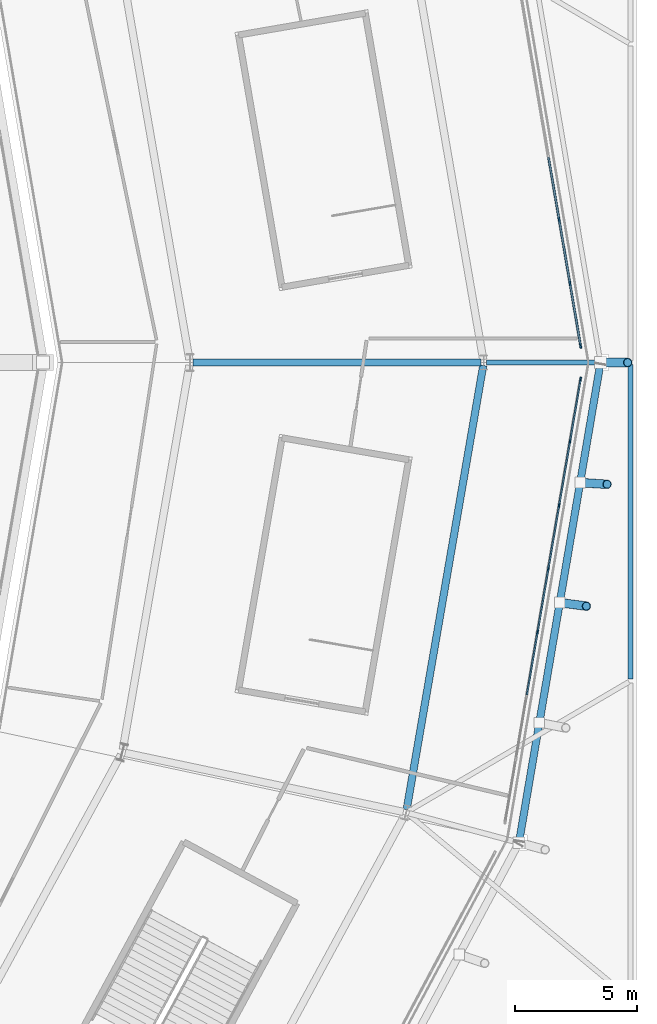
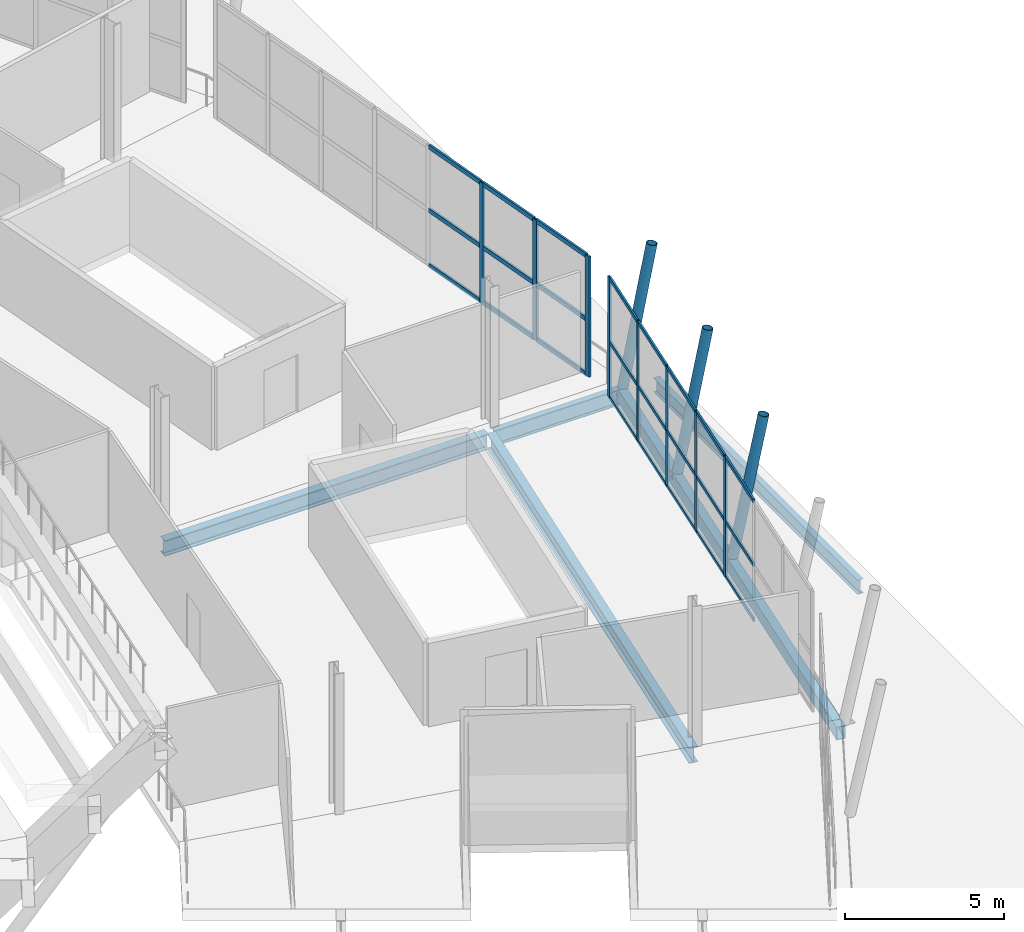
# One storey, part 46 of 126: 35 members, 5 beams, 2 elements without a shape of their own.
"""IFC4 building model written with IfcOpenShell, lengths in metres."""

from ifc_helpers import new_model, si_unit, direction, frame, origin, origin_2d, place, context, subcontext, project, spatial, rectangle, hollow_rectangle, hollow_circle, i_section, extrude, material, material_profile, profile_set, type_object, element, aggregate, save


model = new_model("IFC4")

# Units and contexts
model_context = context("Model", 3, precision=1e-05, world=origin(), true_north=direction((0.0, 1.0)))
body_context = subcontext(model_context, "Body", "Model", "MODEL_VIEW")
ifc_project = project(units=[si_unit("LENGTHUNIT", "METRE"), si_unit("AREAUNIT", "SQUARE_METRE"), si_unit("VOLUMEUNIT", "CUBIC_METRE"), si_unit("PLANEANGLEUNIT", "RADIAN"), si_unit("MASSUNIT", "GRAM", prefix="KILO")], contexts=[model_context])

# Site, building, storey
site_placement = place(None, origin())
site = spatial("IfcSite", under=ifc_project, at=site_placement, CompositionType="ELEMENT")
building_placement = place(site_placement, origin())
building = spatial("IfcBuilding", under=site, at=building_placement, Name="Zlatoyarsky Gate Stadium", CompositionType="ELEMENT")
storey_placement = place(building_placement, frame((0.0, 0.0, 20.800048828125)))
storey = spatial("IfcBuildingStorey", under=building, at=storey_placement, Name="L04", CompositionType="ELEMENT", Elevation=20.800048828125)

# Curtain wall, members
ifc_material_1 = material(Name="Thermally broken anodised aluminium curtain wall", Category="aluminium")
curtain_wall_type_1 = type_object("IfcCurtainWallType", Name="MONUMENTAL ARCHED GATE GLAZING LOWER", PredefinedType="USERDEFINED", material=ifc_material_1)
curtain_wall_1_placement = place(storey_placement, origin())
curtain_wall_1 = element("IfcCurtainWall", 1, at=curtain_wall_1_placement, inside=storey, type_object=curtain_wall_type_1, Name="Curtain wall CW-L04-00", ObjectType="ARCHED GATE GLAZING", PredefinedType="USERDEFINED")
ifc_material_2 = material(Name="Anodised aluminium 6063-T6", Category="aluminium")
ifc_material_profile_1 = material_profile(ifc_material_2, rectangle(XDim=0.074951171875, YDim=0.18994140625, at=origin_2d()), Name="ALU 75X190")
ifc_profile_set_1 = profile_set([ifc_material_profile_1], Name="Anodised aluminium 6063-T6")
member_type_1 = type_object("IfcMemberType", Name="ALUMINIUM GATE MULLION 75X190", PredefinedType="MULLION", material=ifc_profile_set_1)
member_1_placement = place(storey_placement, frame((207.9541015625, 80.677734375, 0.0), z_axis=(0.0, 0.0, 1.0), x_axis=(-0.985817460475, -0.167821138782, 0.0)))
member_1 = element("IfcMember", 2, at=member_1_placement, type_object=member_type_1, Name="CW-AG1 mullion 1", PredefinedType="MULLION", context=body_context, shape_type="SweptSolid", body=[
    extrude(rectangle(XDim=0.074951171875, YDim=0.18994140625, at=origin_2d()), origin(), (0.0, 0.0, 1.0), 4.619873046875),
])
member_2_placement = place(storey_placement, frame((207.51904296875, 83.2333984375, 0.0), z_axis=(0.0, 0.0, 1.0), x_axis=(-0.985817460475, -0.167821138782, 0.0)))
member_2 = element("IfcMember", 3, at=member_2_placement, type_object=member_type_1, Name="CW-AG1 mullion 2", PredefinedType="MULLION", context=body_context, shape_type="SweptSolid", body=[
    extrude(rectangle(XDim=0.074951171875, YDim=0.18994140625, at=origin_2d()), origin(), (0.0, 0.0, 1.0), 4.619873046875),
])
member_3_placement = place(storey_placement, frame((207.077880859375, 85.825927734375, 0.0), z_axis=(0.0, 0.0, 1.0), x_axis=(-0.985817460475, -0.167821138782, 0.0)))
member_3 = element("IfcMember", 4, at=member_3_placement, type_object=member_type_1, Name="CW-AG1 mullion 3", PredefinedType="MULLION", context=body_context, shape_type="SweptSolid", body=[
    extrude(rectangle(XDim=0.074951171875, YDim=0.18994140625, at=origin_2d()), origin(), (0.0, 0.0, 1.0), 4.619873046875),
])
ifc_material_profile_2 = material_profile(ifc_material_2, rectangle(XDim=0.074951171875, YDim=0.169921875, at=origin_2d()), Name="ALU 75X170")
ifc_profile_set_2 = profile_set([ifc_material_profile_2], Name="Anodised aluminium 6063-T6")
member_type_2 = type_object("IfcMemberType", Name="ALUMINIUM GATE TRANSOM 75X170", PredefinedType="USERDEFINED", material=ifc_profile_set_2)
member_4_placement = place(storey_placement, frame((207.947998046875, 80.71484375, 0.037353515625), z_axis=(-0.167889595359, 0.985805804289, 0.0), x_axis=(-0.985805804289, -0.167889595359, 0.0)))
member_4 = element("IfcMember", 5, at=member_4_placement, type_object=member_type_2, Name="CW-AG1 transom 1.1", ObjectType="TRANSOM", PredefinedType="USERDEFINED", context=body_context, shape_type="SweptSolid", body=[
    extrude(rectangle(XDim=0.074951171875, YDim=0.169921875, at=origin_2d()), origin(), (0.0, 0.0, 1.0), 2.51708984375),
])
member_5_placement = place(storey_placement, frame((207.947998046875, 80.71484375, 2.14990234375), z_axis=(-0.167889595359, 0.985805804289, 0.0), x_axis=(-0.985805804289, -0.167889595359, 0.0)))
member_5 = element("IfcMember", 6, at=member_5_placement, type_object=member_type_2, Name="CW-AG1 transom 1.2", ObjectType="TRANSOM", PredefinedType="USERDEFINED", context=body_context, shape_type="SweptSolid", body=[
    extrude(rectangle(XDim=0.074951171875, YDim=0.169921875, at=origin_2d()), origin(), (0.0, 0.0, 1.0), 2.51708984375),
])
member_6_placement = place(storey_placement, frame((207.947998046875, 80.71484375, 4.58251953125), z_axis=(-0.167889595359, 0.985805804289, 0.0), x_axis=(-0.985805804289, -0.167889595359, 0.0)))
member_6 = element("IfcMember", 7, at=member_6_placement, type_object=member_type_2, Name="CW-AG1 transom 1.3", ObjectType="TRANSOM", PredefinedType="USERDEFINED", context=body_context, shape_type="SweptSolid", body=[
    extrude(rectangle(XDim=0.074951171875, YDim=0.169921875, at=origin_2d()), origin(), (0.0, 0.0, 1.0), 2.51708984375),
])
member_7_placement = place(storey_placement, frame((207.512939453125, 83.270263671875, 0.037353515625), z_axis=(-0.167807252001, 0.985819824398, 0.0), x_axis=(-0.985819824398, -0.167807252001, 0.0)))
member_7 = element("IfcMember", 8, at=member_7_placement, type_object=member_type_2, Name="CW-AG1 transom 2.1", ObjectType="TRANSOM", PredefinedType="USERDEFINED", context=body_context, shape_type="SweptSolid", body=[
    extrude(rectangle(XDim=0.074951171875, YDim=0.169921875, at=origin_2d()), origin(), (0.0, 0.0, 1.0), 2.5546875),
])
member_8_placement = place(storey_placement, frame((207.512939453125, 83.270263671875, 2.14990234375), z_axis=(-0.167807252001, 0.985819824398, 0.0), x_axis=(-0.985819824398, -0.167807252001, 0.0)))
member_8 = element("IfcMember", 9, at=member_8_placement, type_object=member_type_2, Name="CW-AG1 transom 2.2", ObjectType="TRANSOM", PredefinedType="USERDEFINED", context=body_context, shape_type="SweptSolid", body=[
    extrude(rectangle(XDim=0.074951171875, YDim=0.169921875, at=origin_2d()), origin(), (0.0, 0.0, 1.0), 2.5546875),
])
member_9_placement = place(storey_placement, frame((207.512939453125, 83.270263671875, 4.58251953125), z_axis=(-0.167807252001, 0.985819824398, 0.0), x_axis=(-0.985819824398, -0.167807252001, 0.0)))
member_9 = element("IfcMember", 10, at=member_9_placement, type_object=member_type_2, Name="CW-AG1 transom 2.3", ObjectType="TRANSOM", PredefinedType="USERDEFINED", context=body_context, shape_type="SweptSolid", body=[
    extrude(rectangle(XDim=0.074951171875, YDim=0.169921875, at=origin_2d()), origin(), (0.0, 0.0, 1.0), 2.5546875),
])
member_10_placement = place(storey_placement, frame((207.071533203125, 85.86279296875, 0.037353515625), z_axis=(-0.167807252001, 0.985819824398, 0.0), x_axis=(-0.985819824398, -0.167807252001, 0.0)))
member_10 = element("IfcMember", 11, at=member_10_placement, type_object=member_type_2, Name="CW-AG1 transom 3.1", ObjectType="TRANSOM", PredefinedType="USERDEFINED", context=body_context, shape_type="SweptSolid", body=[
    extrude(rectangle(XDim=0.074951171875, YDim=0.169921875, at=origin_2d()), origin(), (0.0, 0.0, 1.0), 2.5546875),
])
member_11_placement = place(storey_placement, frame((207.071533203125, 85.86279296875, 2.14990234375), z_axis=(-0.167807252001, 0.985819824398, 0.0), x_axis=(-0.985819824398, -0.167807252001, 0.0)))
member_11 = element("IfcMember", 12, at=member_11_placement, type_object=member_type_2, Name="CW-AG1 transom 3.2", ObjectType="TRANSOM", PredefinedType="USERDEFINED", context=body_context, shape_type="SweptSolid", body=[
    extrude(rectangle(XDim=0.074951171875, YDim=0.169921875, at=origin_2d()), origin(), (0.0, 0.0, 1.0), 2.5546875),
])
member_12_placement = place(storey_placement, frame((207.071533203125, 85.86279296875, 4.58251953125), z_axis=(-0.167807252001, 0.985819824398, 0.0), x_axis=(-0.985819824398, -0.167807252001, 0.0)))
member_12 = element("IfcMember", 13, at=member_12_placement, type_object=member_type_2, Name="CW-AG1 transom 3.3", ObjectType="TRANSOM", PredefinedType="USERDEFINED", context=body_context, shape_type="SweptSolid", body=[
    extrude(rectangle(XDim=0.074951171875, YDim=0.169921875, at=origin_2d()), origin(), (0.0, 0.0, 1.0), 2.5546875),
])
aggregate(curtain_wall_1, [member_1, member_2, member_3, member_4, member_5, member_6, member_7, member_8, member_9, member_10, member_11, member_12])

curtain_wall_type_2 = type_object("IfcCurtainWallType", Name="UNITISED MEDIA RING GLAZING L04", PredefinedType="USERDEFINED", material=ifc_material_1)
curtain_wall_2_placement = place(storey_placement, origin())
curtain_wall_2 = element("IfcCurtainWall", 14, at=curtain_wall_2_placement, inside=storey, type_object=curtain_wall_type_2, Name="Curtain wall CW-L04-23", ObjectType="UNITISED GLAZING", PredefinedType="USERDEFINED")
ifc_material_profile_3 = material_profile(ifc_material_2, rectangle(XDim=0.06494140625, YDim=0.159912109375, at=origin_2d()), Name="ALU 65X160")
ifc_profile_set_3 = profile_set([ifc_material_profile_3], Name="Anodised aluminium 6063-T6")
member_type_3 = type_object("IfcMemberType", Name="ALUMINIUM MULLION 65X160", PredefinedType="MULLION", material=ifc_profile_set_3)
member_13_placement = place(storey_placement, frame((206.195068359375, 68.989013671875, 0.0), z_axis=(0.0, 0.0, 1.0), x_axis=(-0.985817460475, 0.167821138782, 0.0)))
member_13 = element("IfcMember", 15, at=member_13_placement, type_object=member_type_3, Name="CW-UG4 mullion 4", PredefinedType="MULLION", context=body_context, shape_type="SweptSolid", body=[
    extrude(rectangle(XDim=0.06494140625, YDim=0.159912109375, at=origin_2d()), origin(), (0.0, 0.0, 1.0), 4.619873046875),
])
member_14_placement = place(storey_placement, frame((206.636474609375, 71.58154296875, 0.0), z_axis=(0.0, 0.0, 1.0), x_axis=(-0.985817460475, 0.167821138782, 0.0)))
member_14 = element("IfcMember", 16, at=member_14_placement, type_object=member_type_3, Name="CW-UG4 mullion 5", PredefinedType="MULLION", context=body_context, shape_type="SweptSolid", body=[
    extrude(rectangle(XDim=0.06494140625, YDim=0.159912109375, at=origin_2d()), origin(), (0.0, 0.0, 1.0), 4.619873046875),
])
member_15_placement = place(storey_placement, frame((207.077880859375, 74.174072265625, 0.0), z_axis=(0.0, 0.0, 1.0), x_axis=(-0.985817460475, 0.167821138782, 0.0)))
member_15 = element("IfcMember", 17, at=member_15_placement, type_object=member_type_3, Name="CW-UG4 mullion 6", PredefinedType="MULLION", context=body_context, shape_type="SweptSolid", body=[
    extrude(rectangle(XDim=0.06494140625, YDim=0.159912109375, at=origin_2d()), origin(), (0.0, 0.0, 1.0), 4.619873046875),
])
member_16_placement = place(storey_placement, frame((207.51904296875, 76.7666015625, 0.0), z_axis=(0.0, 0.0, 1.0), x_axis=(-0.985817460475, 0.167821138782, 0.0)))
member_16 = element("IfcMember", 18, at=member_16_placement, type_object=member_type_3, Name="CW-UG4 mullion 7", PredefinedType="MULLION", context=body_context, shape_type="SweptSolid", body=[
    extrude(rectangle(XDim=0.06494140625, YDim=0.159912109375, at=origin_2d()), origin(), (0.0, 0.0, 1.0), 4.619873046875),
])
member_17_placement = place(storey_placement, frame((207.955078125, 79.3271484375, 0.0), z_axis=(0.0, 0.0, 1.0), x_axis=(-0.985817460475, 0.167821138782, 0.0)))
member_17 = element("IfcMember", 19, at=member_17_placement, type_object=member_type_3, Name="CW-UG4 mullion 8", PredefinedType="MULLION", context=body_context, shape_type="SweptSolid", body=[
    extrude(rectangle(XDim=0.06494140625, YDim=0.159912109375, at=origin_2d()), origin(), (0.0, 0.0, 1.0), 4.619873046875),
])
ifc_material_profile_4 = material_profile(ifc_material_2, rectangle(XDim=0.06494140625, YDim=0.139892578125, at=origin_2d()), Name="ALU 65X140")
ifc_profile_set_4 = profile_set([ifc_material_profile_4], Name="Anodised aluminium 6063-T6")
member_type_4 = type_object("IfcMemberType", Name="ALUMINIUM TRANSOM 65X140", PredefinedType="USERDEFINED", material=ifc_profile_set_4)
member_18_placement = place(storey_placement, frame((205.75927734375, 66.428466796875, 0.032470703125), z_axis=(0.167809188873, 0.9858194947, 0.0), x_axis=(-0.9858194947, 0.167809188873, 0.0)))
member_18 = element("IfcMember", 20, at=member_18_placement, type_object=member_type_4, Name="CW-UG4 transom 3.1", ObjectType="TRANSOM", PredefinedType="USERDEFINED", context=body_context, shape_type="SweptSolid", body=[
    extrude(rectangle(XDim=0.06494140625, YDim=0.139892578125, at=origin_2d()), origin(), (0.0, 0.0, 1.0), 2.56494140625),
])
member_19_placement = place(storey_placement, frame((205.75927734375, 66.428466796875, 2.14990234375), z_axis=(0.167809188873, 0.9858194947, 0.0), x_axis=(-0.9858194947, 0.167809188873, 0.0)))
member_19 = element("IfcMember", 21, at=member_19_placement, type_object=member_type_4, Name="CW-UG4 transom 3.2", ObjectType="TRANSOM", PredefinedType="USERDEFINED", context=body_context, shape_type="SweptSolid", body=[
    extrude(rectangle(XDim=0.06494140625, YDim=0.139892578125, at=origin_2d()), origin(), (0.0, 0.0, 1.0), 2.56494140625),
])
member_20_placement = place(storey_placement, frame((205.75927734375, 66.428466796875, 4.58740234375), z_axis=(0.167809188873, 0.9858194947, 0.0), x_axis=(-0.9858194947, 0.167809188873, 0.0)))
member_20 = element("IfcMember", 22, at=member_20_placement, type_object=member_type_4, Name="CW-UG4 transom 3.3", ObjectType="TRANSOM", PredefinedType="USERDEFINED", context=body_context, shape_type="SweptSolid", body=[
    extrude(rectangle(XDim=0.06494140625, YDim=0.139892578125, at=origin_2d()), origin(), (0.0, 0.0, 1.0), 2.56494140625),
])
member_21_placement = place(storey_placement, frame((206.20068359375, 69.02099609375, 0.032470703125), z_axis=(0.167809188873, 0.9858194947, 0.0), x_axis=(-0.9858194947, 0.167809188873, 0.0)))
member_21 = element("IfcMember", 23, at=member_21_placement, type_object=member_type_4, Name="CW-UG4 transom 4.1", ObjectType="TRANSOM", PredefinedType="USERDEFINED", context=body_context, shape_type="SweptSolid", body=[
    extrude(rectangle(XDim=0.06494140625, YDim=0.139892578125, at=origin_2d()), origin(), (0.0, 0.0, 1.0), 2.56494140625),
])
member_22_placement = place(storey_placement, frame((206.20068359375, 69.02099609375, 2.14990234375), z_axis=(0.167809188873, 0.9858194947, 0.0), x_axis=(-0.9858194947, 0.167809188873, 0.0)))
member_22 = element("IfcMember", 24, at=member_22_placement, type_object=member_type_4, Name="CW-UG4 transom 4.2", ObjectType="TRANSOM", PredefinedType="USERDEFINED", context=body_context, shape_type="SweptSolid", body=[
    extrude(rectangle(XDim=0.06494140625, YDim=0.139892578125, at=origin_2d()), origin(), (0.0, 0.0, 1.0), 2.56494140625),
])
member_23_placement = place(storey_placement, frame((206.20068359375, 69.02099609375, 4.58740234375), z_axis=(0.167809188873, 0.9858194947, 0.0), x_axis=(-0.9858194947, 0.167809188873, 0.0)))
member_23 = element("IfcMember", 25, at=member_23_placement, type_object=member_type_4, Name="CW-UG4 transom 4.3", ObjectType="TRANSOM", PredefinedType="USERDEFINED", context=body_context, shape_type="SweptSolid", body=[
    extrude(rectangle(XDim=0.06494140625, YDim=0.139892578125, at=origin_2d()), origin(), (0.0, 0.0, 1.0), 2.56494140625),
])
member_24_placement = place(storey_placement, frame((206.641845703125, 71.613525390625, 0.032470703125), z_axis=(0.167809188873, 0.9858194947, 0.0), x_axis=(-0.9858194947, 0.167809188873, 0.0)))
member_24 = element("IfcMember", 26, at=member_24_placement, type_object=member_type_4, Name="CW-UG4 transom 5.1", ObjectType="TRANSOM", PredefinedType="USERDEFINED", context=body_context, shape_type="SweptSolid", body=[
    extrude(rectangle(XDim=0.06494140625, YDim=0.139892578125, at=origin_2d()), origin(), (0.0, 0.0, 1.0), 2.56494140625),
])
member_25_placement = place(storey_placement, frame((206.641845703125, 71.613525390625, 2.14990234375), z_axis=(0.167809188873, 0.9858194947, 0.0), x_axis=(-0.9858194947, 0.167809188873, 0.0)))
member_25 = element("IfcMember", 27, at=member_25_placement, type_object=member_type_4, Name="CW-UG4 transom 5.2", ObjectType="TRANSOM", PredefinedType="USERDEFINED", context=body_context, shape_type="SweptSolid", body=[
    extrude(rectangle(XDim=0.06494140625, YDim=0.139892578125, at=origin_2d()), origin(), (0.0, 0.0, 1.0), 2.56494140625),
])
member_26_placement = place(storey_placement, frame((206.641845703125, 71.613525390625, 4.58740234375), z_axis=(0.167809188873, 0.9858194947, 0.0), x_axis=(-0.9858194947, 0.167809188873, 0.0)))
member_26 = element("IfcMember", 28, at=member_26_placement, type_object=member_type_4, Name="CW-UG4 transom 5.3", ObjectType="TRANSOM", PredefinedType="USERDEFINED", context=body_context, shape_type="SweptSolid", body=[
    extrude(rectangle(XDim=0.06494140625, YDim=0.139892578125, at=origin_2d()), origin(), (0.0, 0.0, 1.0), 2.56494140625),
])
member_27_placement = place(storey_placement, frame((207.083251953125, 74.2060546875, 0.032470703125), z_axis=(0.167809188873, 0.9858194947, 0.0), x_axis=(-0.9858194947, 0.167809188873, 0.0)))
member_27 = element("IfcMember", 29, at=member_27_placement, type_object=member_type_4, Name="CW-UG4 transom 6.1", ObjectType="TRANSOM", PredefinedType="USERDEFINED", context=body_context, shape_type="SweptSolid", body=[
    extrude(rectangle(XDim=0.06494140625, YDim=0.139892578125, at=origin_2d()), origin(), (0.0, 0.0, 1.0), 2.56494140625),
])
member_28_placement = place(storey_placement, frame((207.083251953125, 74.2060546875, 2.14990234375), z_axis=(0.167809188873, 0.9858194947, 0.0), x_axis=(-0.9858194947, 0.167809188873, 0.0)))
member_28 = element("IfcMember", 30, at=member_28_placement, type_object=member_type_4, Name="CW-UG4 transom 6.2", ObjectType="TRANSOM", PredefinedType="USERDEFINED", context=body_context, shape_type="SweptSolid", body=[
    extrude(rectangle(XDim=0.06494140625, YDim=0.139892578125, at=origin_2d()), origin(), (0.0, 0.0, 1.0), 2.56494140625),
])
member_29_placement = place(storey_placement, frame((207.083251953125, 74.2060546875, 4.58740234375), z_axis=(0.167809188873, 0.9858194947, 0.0), x_axis=(-0.9858194947, 0.167809188873, 0.0)))
member_29 = element("IfcMember", 31, at=member_29_placement, type_object=member_type_4, Name="CW-UG4 transom 6.3", ObjectType="TRANSOM", PredefinedType="USERDEFINED", context=body_context, shape_type="SweptSolid", body=[
    extrude(rectangle(XDim=0.06494140625, YDim=0.139892578125, at=origin_2d()), origin(), (0.0, 0.0, 1.0), 2.56494140625),
])
member_30_placement = place(storey_placement, frame((207.524658203125, 76.798583984375, 0.032470703125), z_axis=(0.167837221956, 0.985814722413, 0.0), x_axis=(-0.985814722413, 0.167837221956, 0.0)))
member_30 = element("IfcMember", 32, at=member_30_placement, type_object=member_type_4, Name="CW-UG4 transom 7.1", ObjectType="TRANSOM", PredefinedType="USERDEFINED", context=body_context, shape_type="SweptSolid", body=[
    extrude(rectangle(XDim=0.06494140625, YDim=0.139892578125, at=origin_2d()), origin(), (0.0, 0.0, 1.0), 2.532470703125),
])
member_31_placement = place(storey_placement, frame((207.524658203125, 76.798583984375, 2.14990234375), z_axis=(0.167837221956, 0.985814722413, 0.0), x_axis=(-0.985814722413, 0.167837221956, 0.0)))
member_31 = element("IfcMember", 33, at=member_31_placement, type_object=member_type_4, Name="CW-UG4 transom 7.2", ObjectType="TRANSOM", PredefinedType="USERDEFINED", context=body_context, shape_type="SweptSolid", body=[
    extrude(rectangle(XDim=0.06494140625, YDim=0.139892578125, at=origin_2d()), origin(), (0.0, 0.0, 1.0), 2.532470703125),
])
member_32_placement = place(storey_placement, frame((207.524658203125, 76.798583984375, 4.58740234375), z_axis=(0.167837221956, 0.985814722413, 0.0), x_axis=(-0.985814722413, 0.167837221956, 0.0)))
member_32 = element("IfcMember", 34, at=member_32_placement, type_object=member_type_4, Name="CW-UG4 transom 7.3", ObjectType="TRANSOM", PredefinedType="USERDEFINED", context=body_context, shape_type="SweptSolid", body=[
    extrude(rectangle(XDim=0.06494140625, YDim=0.139892578125, at=origin_2d()), origin(), (0.0, 0.0, 1.0), 2.532470703125),
])
aggregate(curtain_wall_2, [member_13, member_14, member_15, member_16, member_17, member_18, member_19, member_20, member_21, member_22, member_23, member_24, member_25, member_26, member_27, member_28, member_29, member_30, member_31, member_32])

# Beams
ifc_material_3 = material(Name="Steel S355", Category="steel")
ifc_material_profile_5 = material_profile(ifc_material_3, i_section(OverallWidth=0.219970703125, OverallDepth=0.60009765625, WebThickness=0.011962890625, FlangeThickness=0.01904296875, FilletRadius=0.02392578125, at=origin_2d()), Name="IPE 600")
ifc_profile_set_5 = profile_set([ifc_material_profile_5], Name="Steel S355")
beam_type_1 = type_object("IfcBeamType", Name="STEEL CANTILEVER FLOOR BEAM IPE 600", PredefinedType="BEAM", material=ifc_profile_set_5)
beam_1_placement = place(storey_placement, frame((204.1201171875, 80.0, -0.60009765625), z_axis=(1.0, 0.0, 0.0), x_axis=(0.0, 1.0, 0.0)))
element("IfcBeam", 35, at=beam_1_placement, inside=storey, type_object=beam_type_1, Name="Beam B-IPE600 BM-L04-OUT-00", PredefinedType="BEAM", context=body_context, shape_type="SweptSolid", body=[
    extrude(i_section(OverallWidth=0.219970703125, OverallDepth=0.60009765625, WebThickness=0.011962890625, FlangeThickness=0.01904296875, FilletRadius=0.02392578125, at=origin_2d()), origin(), (0.0, 0.0, 1.0), 4.6494140625),
])
ifc_material_profile_6 = material_profile(ifc_material_3, i_section(OverallWidth=0.2099609375, OverallDepth=0.550048828125, WebThickness=0.010986328125, FlangeThickness=0.01708984375, FilletRadius=0.02392578125, at=origin_2d()), Name="IPE 550")
ifc_profile_set_6 = profile_set([ifc_material_profile_6], Name="Steel S355")
beam_type_2 = type_object("IfcBeamType", Name="STEEL FLOOR BEAM IPE 550", PredefinedType="BEAM", material=ifc_profile_set_6)
beam_2_placement = place(storey_placement, frame((210.0, 67.080078125, -0.574951171875), z_axis=(0.0, 1.0, 0.0), x_axis=(-1.0, 0.0, 0.0)))
element("IfcBeam", 36, at=beam_2_placement, inside=storey, type_object=beam_type_2, Name="Beam B-IPE550 BM-L04-WGY-18-G", PredefinedType="BEAM", context=body_context, shape_type="SweptSolid", body=[
    extrude(i_section(OverallWidth=0.2099609375, OverallDepth=0.550048828125, WebThickness=0.010986328125, FlangeThickness=0.01708984375, FilletRadius=0.02392578125, at=origin_2d()), origin(), (0.0, 0.0, 1.0), 12.83984375),
])

# Members
ifc_material_profile_7 = material_profile(ifc_material_3, hollow_circle(Radius=0.177734375, WallThickness=0.02001953125, at=origin_2d()), Name="CHS 355.6X20")
ifc_profile_set_7 = profile_set([ifc_material_profile_7], Name="Steel S355")
member_type_5 = type_object("IfcMemberType", Name="STEEL LEANING RIB RING STRUT CHS 355.6X20", PredefinedType="STRUT", material=ifc_profile_set_7)
member_33_placement = place(storey_placement, frame((208.76953125, 80.0, -0.60009765625), z_axis=(0.199692055567, 0.0, 0.979858705602), x_axis=(0.0, 1.0, 0.0)))
element("IfcMember", 37, at=member_33_placement, inside=storey, type_object=member_type_5, Name="Leaning ring strut 00 L04 to L05", PredefinedType="STRUT", context=body_context, shape_type="SweptSolid", body=[
    extrude(hollow_circle(Radius=0.177734375, WallThickness=0.02001953125, at=origin_2d()), origin(), (0.0, 0.0, 1.0), 5.5517578125),
])
member_34_placement = place(storey_placement, frame((207.10400390625, 70.194580078125, -0.550048828125), z_axis=(0.196329902112, -0.025822463038, 0.98019782184), x_axis=(0.130402793039, 0.991461099372, 0.0)))
element("IfcMember", 38, at=member_34_placement, inside=storey, type_object=member_type_5, Name="Outward-leaning bowl louvre fin rib L04 23-2", PredefinedType="STRUT", context=body_context, shape_type="SweptSolid", body=[
    extrude(hollow_circle(Radius=0.177734375, WallThickness=0.02001953125, at=origin_2d()), origin(), (0.0, 0.0, 1.0), 5.5498046875),
])
member_35_placement = place(storey_placement, frame((207.936767578125, 75.097412109375, -0.550048828125), z_axis=(0.198028002415, -0.012932081899, 0.980111050605), x_axis=(0.065165502906, 0.997874469676, 0.0)))
element("IfcMember", 39, at=member_35_placement, inside=storey, type_object=member_type_5, Name="Outward-leaning bowl louvre fin rib L04 23-3", PredefinedType="STRUT", context=body_context, shape_type="SweptSolid", body=[
    extrude(hollow_circle(Radius=0.177734375, WallThickness=0.02001953125, at=origin_2d()), origin(), (0.0, 0.0, 1.0), 5.55029296875),
])

# Beams
ifc_material_profile_8 = material_profile(ifc_material_3, hollow_rectangle(XDim=0.300048828125, YDim=0.5, WallThickness=0.02001953125, at=origin_2d()), Name="RHS 500X300X20")
ifc_profile_set_8 = profile_set([ifc_material_profile_8], Name="Steel S355")
beam_type_3 = type_object("IfcBeamType", Name="STEEL LOUVRE CARRIER SPANDREL RHS 500X300X20", PredefinedType="SPANDREL", material=ifc_profile_set_8)
beam_3_placement = place(storey_placement, frame((205.44140625, 60.4091796875, -0.550048828125), z_axis=(0.16749138305, 0.985873539864, 0.0), x_axis=(-0.985873539864, 0.16749138305, 0.0)))
element("IfcBeam", 40, at=beam_3_placement, inside=storey, type_object=beam_type_3, Name="Beam SP-RHS500 BM-L04-SPD-23", PredefinedType="SPANDREL", context=body_context, shape_type="SweptSolid", body=[
    extrude(hollow_rectangle(XDim=0.300048828125, YDim=0.5, WallThickness=0.02001953125, at=origin_2d()), origin(), (0.0, 0.0, 1.0), 19.8515625),
])
ifc_material_profile_9 = material_profile(ifc_material_3, i_section(OverallWidth=0.300048828125, OverallDepth=0.60009765625, WebThickness=0.015380859375, FlangeThickness=0.030029296875, FilletRadius=0.027099609375, at=origin_2d()), Name="HEB 600")
ifc_profile_set_9 = profile_set([ifc_material_profile_9], Name="Steel S355")
beam_type_4 = type_object("IfcBeamType", Name="STEEL PRIMARY GIRDER HEB 600", PredefinedType="BEAM", material=ifc_profile_set_9)
beam_4_placement = place(storey_placement, frame((192.1201171875, 80.0, -0.60009765625), z_axis=(1.0, 0.0, 0.0), x_axis=(0.0, 1.0, 0.0)))
element("IfcBeam", 41, at=beam_4_placement, inside=storey, type_object=beam_type_4, Name="Beam G-HEB600 BM-L04-RBC-00", PredefinedType="BEAM", context=body_context, shape_type="SweptSolid", body=[
    extrude(i_section(OverallWidth=0.300048828125, OverallDepth=0.60009765625, WebThickness=0.015380859375, FlangeThickness=0.030029296875, FilletRadius=0.027099609375, at=origin_2d()), origin(), (0.0, 0.0, 1.0), 11.759765625),
])
beam_5_placement = place(storey_placement, frame((200.8515625, 61.7421875, -0.60009765625), z_axis=(0.169930456666, 0.985456056807, 0.0), x_axis=(-0.985456056807, 0.169930456666, 0.0)))
element("IfcBeam", 42, at=beam_5_placement, inside=storey, type_object=beam_type_4, Name="Beam G-HEB600 BM-L04-CRC-23", PredefinedType="BEAM", context=body_context, shape_type="SweptSolid", body=[
    extrude(i_section(OverallWidth=0.300048828125, OverallDepth=0.60009765625, WebThickness=0.015380859375, FlangeThickness=0.030029296875, FilletRadius=0.027099609375, at=origin_2d()), origin(), (0.0, 0.0, 1.0), 18.4072265625),
])

save(model, "model.ifc")
